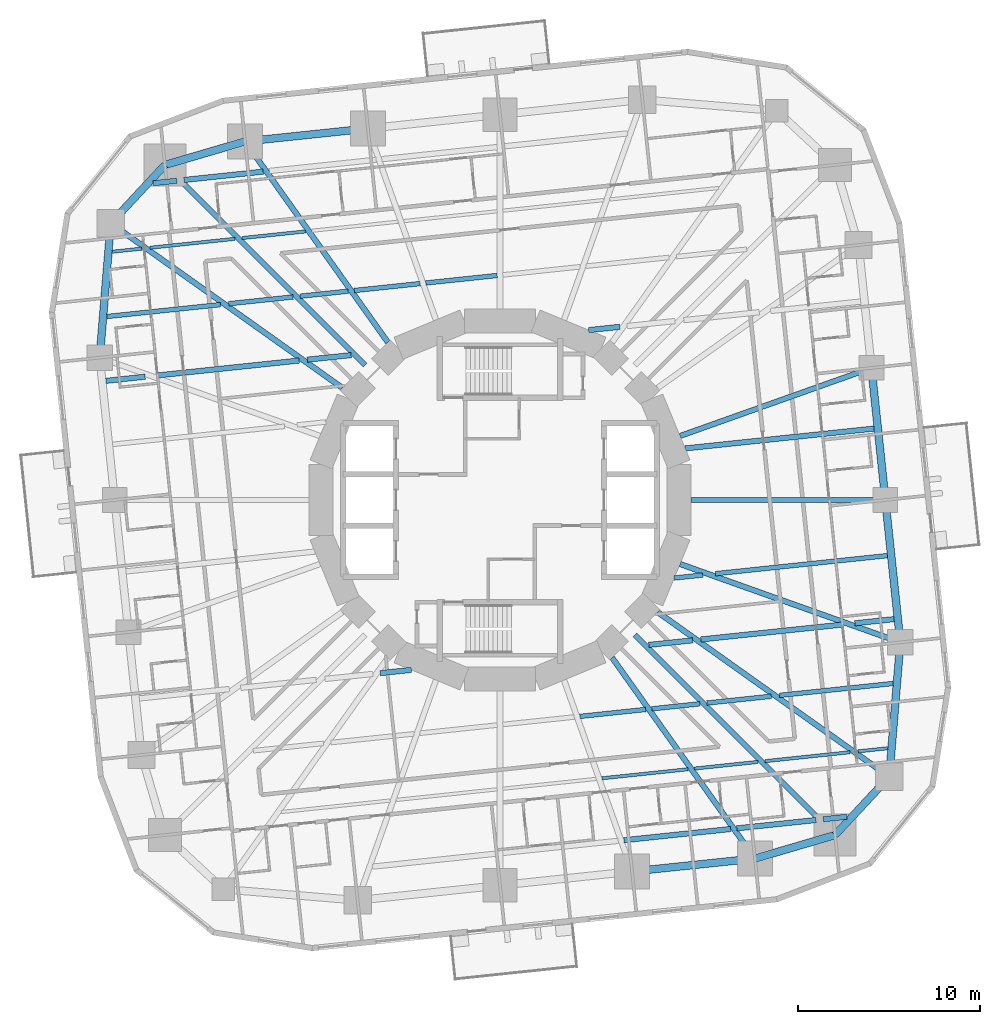
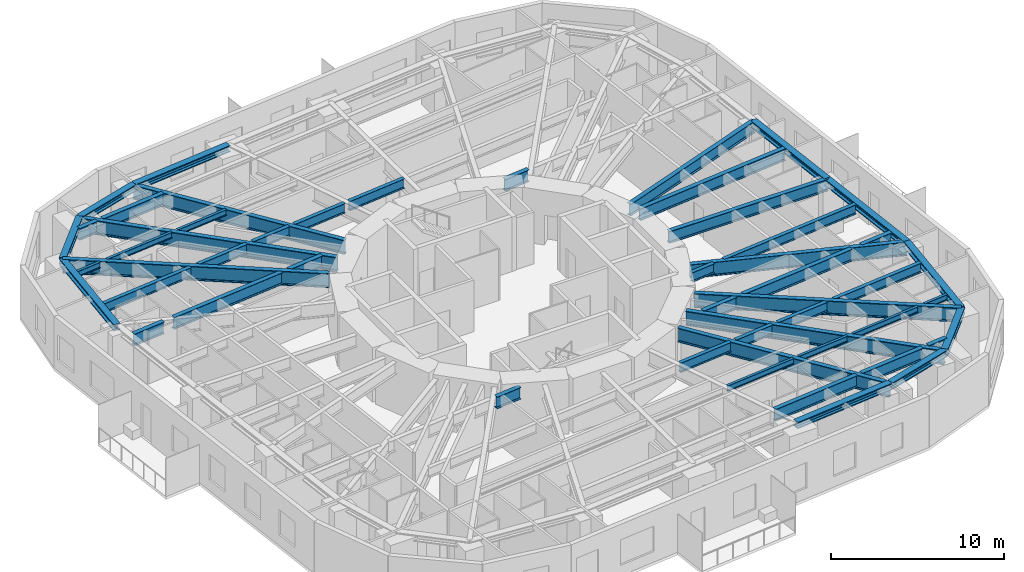
# One storey, part 2 of 13: 41 beams, 10 members.
"""IFC4 building model written with IfcOpenShell, lengths in metres."""

from ifc_helpers import new_model, si_unit, direction, frame, origin, origin_2d, place, context, subcontext, project, spatial, i_section, extrude, material, material_profile, profile_set, type_object, element, save


model = new_model("IFC4")

# Units and contexts
model_context = context("Model", 3, precision=1e-05, world=origin(), true_north=direction((0.0, 1.0)))
body_context = subcontext(model_context, "Body", "Model", "MODEL_VIEW")
ifc_project = project(units=[si_unit("LENGTHUNIT", "METRE"), si_unit("AREAUNIT", "SQUARE_METRE"), si_unit("VOLUMEUNIT", "CUBIC_METRE"), si_unit("PLANEANGLEUNIT", "RADIAN"), si_unit("MASSUNIT", "GRAM", prefix="KILO")], contexts=[model_context])

# Site, building, storey
site_placement = place(None, origin())
site = spatial("IfcSite", under=ifc_project, at=site_placement, CompositionType="ELEMENT")
building_placement = place(site_placement, origin())
building = spatial("IfcBuilding", under=site, at=building_placement, Name="Nakasero Lantern House", CompositionType="ELEMENT")
storey_placement = place(building_placement, frame((0.0, 0.0, 91.300048828125)))
storey = spatial("IfcBuildingStorey", under=building, at=storey_placement, Name="L22", CompositionType="ELEMENT", Elevation=91.300048828125)

# Members
ifc_material_1 = material(Name="Steel S355", Category="steel")
ifc_material_profile_1 = material_profile(ifc_material_1, i_section(OverallWidth=0.41845703125, OverallDepth=0.45556640625, WebThickness=0.0419921875, FlangeThickness=0.0673828125, FilletRadius=0.01513671875, at=origin_2d()), Name="UC 356x406x551")
ifc_profile_set_1 = profile_set([ifc_material_profile_1], Name="Steel S355")
member_type = type_object("IfcMemberType", Name="Belt truss chord UC 356x406x551", PredefinedType="CHORD", material=ifc_profile_set_1)
member_1_placement = place(storey_placement, frame((21.327880859375, -15.16650390625, 3.422119140625), z_axis=(0.08217080574, 0.996618261264, 0.0), x_axis=(-0.996618261264, 0.08217080574, 0.0)))
element("IfcMember", 1, at=member_1_placement, inside=storey, type_object=member_type, Name="Belt truss bottom chord T2 B2-C01", PredefinedType="CHORD", context=body_context, shape_type="SweptSolid", body=[
    extrude(i_section(OverallWidth=0.41845703125, OverallDepth=0.45556640625, WebThickness=0.0419921875, FlangeThickness=0.0673828125, FilletRadius=0.01513671875, at=origin_2d()), origin(), (0.0, 0.0, 1.0), 7.39208984375),
])
member_2_placement = place(storey_placement, frame((21.935302734375, -7.79931640625, 3.422119140625), z_axis=(-0.104508144098, 0.994524030789, 0.0), x_axis=(-0.994524030789, -0.104508144098, 0.0)))
element("IfcMember", 2, at=member_2_placement, inside=storey, type_object=member_type, Name="Belt truss bottom chord T2 B2-C02", PredefinedType="CHORD", context=body_context, shape_type="SweptSolid", body=[
    extrude(i_section(OverallWidth=0.41845703125, OverallDepth=0.45556640625, WebThickness=0.0419921875, FlangeThickness=0.0673828125, FilletRadius=0.01513671875, at=origin_2d()), origin(), (0.0, 0.0, 1.0), 7.84228515625),
])
member_3_placement = place(storey_placement, frame((21.11572265625, 0.0, 3.422119140625), z_axis=(-0.104538087767, 0.994520883746, 0.0), x_axis=(-0.994520883746, -0.104538087767, 0.0)))
element("IfcMember", 3, at=member_3_placement, inside=storey, type_object=member_type, Name="Belt truss bottom chord T2 B2-C03", PredefinedType="CHORD", context=body_context, shape_type="SweptSolid", body=[
    extrude(i_section(OverallWidth=0.41845703125, OverallDepth=0.45556640625, WebThickness=0.0419921875, FlangeThickness=0.0673828125, FilletRadius=0.01513671875, at=origin_2d()), origin(), (0.0, 0.0, 1.0), 7.277099609375),
])
member_4_placement = place(storey_placement, frame((-7.2373046875, 20.35498046875, 3.422119140625), z_axis=(-0.994522233155, -0.10452524939, 0.0), x_axis=(0.10452524939, -0.994522233155, 0.0)))
element("IfcMember", 4, at=member_4_placement, inside=storey, type_object=member_type, Name="Belt truss bottom chord T2 B2-C10", PredefinedType="CHORD", context=body_context, shape_type="SweptSolid", body=[
    extrude(i_section(OverallWidth=0.41845703125, OverallDepth=0.45556640625, WebThickness=0.0419921875, FlangeThickness=0.0673828125, FilletRadius=0.01513671875, at=origin_2d()), origin(), (0.0, 0.0, 1.0), 6.771240234375),
])
member_5_placement = place(storey_placement, frame((-13.971435546875, 19.647216796875, 3.422119140625), z_axis=(-0.959526865957, -0.28161710443, 0.0), x_axis=(0.28161710443, -0.959526865957, 0.0)))
element("IfcMember", 5, at=member_5_placement, inside=storey, type_object=member_type, Name="Belt truss bottom chord T2 B2-C11", PredefinedType="CHORD", context=body_context, shape_type="SweptSolid", body=[
    extrude(i_section(OverallWidth=0.41845703125, OverallDepth=0.45556640625, WebThickness=0.0419921875, FlangeThickness=0.0673828125, FilletRadius=0.01513671875, at=origin_2d()), origin(), (0.0, 0.0, 1.0), 4.572998046875),
])
member_6_placement = place(storey_placement, frame((-18.359375, 18.359375, 3.422119140625), z_axis=(-0.680906333933, -0.732370510336, 0.0), x_axis=(0.732370510336, -0.680906333933, 0.0)))
element("IfcMember", 6, at=member_6_placement, inside=storey, type_object=member_type, Name="Belt truss bottom chord T2 B2-C12", PredefinedType="CHORD", context=body_context, shape_type="SweptSolid", body=[
    extrude(i_section(OverallWidth=0.41845703125, OverallDepth=0.45556640625, WebThickness=0.0419921875, FlangeThickness=0.0673828125, FilletRadius=0.01513671875, at=origin_2d()), origin(), (0.0, 0.0, 1.0), 4.359619140625),
])
member_7_placement = place(storey_placement, frame((-21.327880859375, 15.16650390625, 3.422119140625), z_axis=(-0.08217080574, -0.996618261264, 0.0), x_axis=(0.996618261264, -0.08217080574, 0.0)))
element("IfcMember", 7, at=member_7_placement, inside=storey, type_object=member_type, Name="Belt truss bottom chord T2 B2-C13", PredefinedType="CHORD", context=body_context, shape_type="SweptSolid", body=[
    extrude(i_section(OverallWidth=0.41845703125, OverallDepth=0.45556640625, WebThickness=0.0419921875, FlangeThickness=0.0673828125, FilletRadius=0.01513671875, at=origin_2d()), origin(), (0.0, 0.0, 1.0), 7.39208984375),
])
member_8_placement = place(storey_placement, frame((7.2373046875, -20.35498046875, 3.422119140625), z_axis=(0.994522233155, 0.10452524939, 0.0), x_axis=(-0.10452524939, 0.994522233155, 0.0)))
element("IfcMember", 8, at=member_8_placement, inside=storey, type_object=member_type, Name="Belt truss bottom chord T2 B2-C22", PredefinedType="CHORD", context=body_context, shape_type="SweptSolid", body=[
    extrude(i_section(OverallWidth=0.41845703125, OverallDepth=0.45556640625, WebThickness=0.0419921875, FlangeThickness=0.0673828125, FilletRadius=0.01513671875, at=origin_2d()), origin(), (0.0, 0.0, 1.0), 6.771240234375),
])
member_9_placement = place(storey_placement, frame((13.971435546875, -19.647216796875, 3.422119140625), z_axis=(0.959526865957, 0.28161710443, 0.0), x_axis=(-0.28161710443, 0.959526865957, 0.0)))
element("IfcMember", 9, at=member_9_placement, inside=storey, type_object=member_type, Name="Belt truss bottom chord T2 B2-C23", PredefinedType="CHORD", context=body_context, shape_type="SweptSolid", body=[
    extrude(i_section(OverallWidth=0.41845703125, OverallDepth=0.45556640625, WebThickness=0.0419921875, FlangeThickness=0.0673828125, FilletRadius=0.01513671875, at=origin_2d()), origin(), (0.0, 0.0, 1.0), 4.572998046875),
])
member_10_placement = place(storey_placement, frame((18.359375, -18.359375, 3.422119140625), z_axis=(0.680906333933, 0.732370510336, 0.0), x_axis=(-0.732370510336, 0.680906333933, 0.0)))
element("IfcMember", 10, at=member_10_placement, inside=storey, type_object=member_type, Name="Belt truss bottom chord T2 B2-C24", PredefinedType="CHORD", context=body_context, shape_type="SweptSolid", body=[
    extrude(i_section(OverallWidth=0.41845703125, OverallDepth=0.45556640625, WebThickness=0.0419921875, FlangeThickness=0.0673828125, FilletRadius=0.01513671875, at=origin_2d()), origin(), (0.0, 0.0, 1.0), 4.359619140625),
])

# Beams
ifc_material_2 = material(Name="Steel S355", Category="steel")
ifc_material_profile_2 = material_profile(ifc_material_2, i_section(OverallWidth=0.179443359375, OverallDepth=0.412841796875, WebThickness=0.009521484375, FlangeThickness=0.01611328125, FilletRadius=0.01025390625, at=origin_2d()), Name="UB 406x178x74")
ifc_profile_set_2 = profile_set([ifc_material_profile_2], Name="Steel S355")
beam_type_1 = type_object("IfcBeamType", Name="Infill beam UB 406x178x74", PredefinedType="JOIST", material=ifc_profile_set_2)
beam_1_placement = place(storey_placement, frame((5.584228515625, -15.249755859375, 3.443603515625), z_axis=(0.994523747125, 0.104510843477, 0.0), x_axis=(-0.104510843477, 0.994523747125, 0.0)))
element("IfcBeam", 11, at=beam_1_placement, inside=storey, type_object=beam_type_1, Name="Infill beam L23 03.4", PredefinedType="JOIST", context=body_context, shape_type="SweptSolid", body=[
    extrude(i_section(OverallWidth=0.179443359375, OverallDepth=0.412841796875, WebThickness=0.009521484375, FlangeThickness=0.01611328125, FilletRadius=0.01025390625, at=origin_2d()), origin(), (0.0, 0.0, 1.0), 4.749267578125),
])
beam_2_placement = place(storey_placement, frame((10.649658203125, -14.717529296875, 3.443603515625), z_axis=(0.994516130604, 0.104583296798, 0.0), x_axis=(-0.104583296798, 0.994516130604, 0.0)))
element("IfcBeam", 12, at=beam_2_placement, inside=storey, type_object=beam_type_1, Name="Infill beam L23 03.5", PredefinedType="JOIST", context=body_context, shape_type="SweptSolid", body=[
    extrude(i_section(OverallWidth=0.179443359375, OverallDepth=0.412841796875, WebThickness=0.009521484375, FlangeThickness=0.01611328125, FilletRadius=0.01025390625, at=origin_2d()), origin(), (0.0, 0.0, 1.0), 3.50634765625),
])
beam_3_placement = place(storey_placement, frame((14.5244140625, -14.31005859375, 3.443603515625), z_axis=(0.994524314747, 0.10450544185, 0.0), x_axis=(-0.10450544185, 0.994524314747, 0.0)))
element("IfcBeam", 13, at=beam_3_placement, inside=storey, type_object=beam_type_1, Name="Infill beam L23 03.6", PredefinedType="JOIST", context=body_context, shape_type="SweptSolid", body=[
    extrude(i_section(OverallWidth=0.179443359375, OverallDepth=0.412841796875, WebThickness=0.009521484375, FlangeThickness=0.01611328125, FilletRadius=0.01025390625, at=origin_2d()), origin(), (0.0, 0.0, 1.0), 4.677001953125),
])
for number, where, z_axis, x_axis, name in (
    (14, (19.629638671875, -13.773681640625, 3.443603515625), (0.994509565505, 0.104645707602, 0.0), (-0.104645707602, 0.994509565505, 0.0), "Infill beam L23 03.7"),
    (15, (-21.246826171875, 13.603515625, 3.443603515625), (0.994509565505, 0.104645707602, 0.0), (-0.104645707602, 0.994509565505, 0.0), "Infill beam L23 12.1"),
):
    element("IfcBeam", number, at=place(storey_placement, frame(where, z_axis=z_axis, x_axis=x_axis)), inside=storey, type_object=beam_type_1, Name=name, PredefinedType="JOIST", context=body_context, shape_type="SweptSolid", body=[
        extrude(i_section(OverallWidth=0.179443359375, OverallDepth=0.412841796875, WebThickness=0.009521484375, FlangeThickness=0.01611328125, FilletRadius=0.01025390625, at=origin_2d()), origin(), (0.0, 0.0, 1.0), 1.626220703125),
    ])
beam_4_placement = place(storey_placement, frame((-19.17578125, 13.8212890625, 3.443603515625), z_axis=(0.994524314747, 0.10450544185, 0.0), x_axis=(-0.10450544185, 0.994524314747, 0.0)))
element("IfcBeam", 16, at=beam_4_placement, inside=storey, type_object=beam_type_1, Name="Infill beam L23 12.2", PredefinedType="JOIST", context=body_context, shape_type="SweptSolid", body=[
    extrude(i_section(OverallWidth=0.179443359375, OverallDepth=0.412841796875, WebThickness=0.009521484375, FlangeThickness=0.01611328125, FilletRadius=0.01025390625, at=origin_2d()), origin(), (0.0, 0.0, 1.0), 4.677001953125),
])
beam_5_placement = place(storey_placement, frame((-14.13671875, 14.350830078125, 3.443603515625), z_axis=(0.994516130604, 0.104583296798, 0.0), x_axis=(-0.104583296798, 0.994516130604, 0.0)))
element("IfcBeam", 17, at=beam_5_placement, inside=storey, type_object=beam_type_1, Name="Infill beam L23 12.3", PredefinedType="JOIST", context=body_context, shape_type="SweptSolid", body=[
    extrude(i_section(OverallWidth=0.179443359375, OverallDepth=0.412841796875, WebThickness=0.009521484375, FlangeThickness=0.01611328125, FilletRadius=0.01025390625, at=origin_2d()), origin(), (0.0, 0.0, 1.0), 3.50634765625),
])
ifc_material_3 = material(Name="Steel S355", Category="steel")
ifc_material_profile_3 = material_profile(ifc_material_3, i_section(OverallWidth=0.253662109375, OverallDepth=0.68359375, WebThickness=0.012451171875, FlangeThickness=0.01904296875, FilletRadius=0.01513671875, at=origin_2d()), Name="UB 686x254x140")
ifc_profile_set_3 = profile_set([ifc_material_profile_3], Name="Steel S355")
beam_type_2 = type_object("IfcBeamType", Name="Infill beam UB 686x254x140", PredefinedType="JOIST", material=ifc_profile_set_3)
beam_6_placement = place(storey_placement, frame((4.3779296875, -11.857421875, 3.30810546875), z_axis=(0.99451616252, 0.104582993292, 0.0), x_axis=(-0.104582993292, 0.99451616252, 0.0)))
element("IfcBeam", 18, at=beam_6_placement, inside=storey, type_object=beam_type_2, Name="Infill beam L23 04.5", PredefinedType="JOIST", context=body_context, shape_type="SweptSolid", body=[
    extrude(i_section(OverallWidth=0.253662109375, OverallDepth=0.68359375, WebThickness=0.012451171875, FlangeThickness=0.01904296875, FilletRadius=0.01513671875, at=origin_2d()), origin(), (0.0, 0.0, 1.0), 3.62060546875),
])
beam_7_placement = place(storey_placement, frame((8.3212890625, -11.44287109375, 3.30810546875), z_axis=(0.994518088148, 0.104564680203, 0.0), x_axis=(-0.104564680203, 0.994518088148, 0.0)))
element("IfcBeam", 19, at=beam_7_placement, inside=storey, type_object=beam_type_2, Name="Infill beam L23 04.6", PredefinedType="JOIST", context=body_context, shape_type="SweptSolid", body=[
    extrude(i_section(OverallWidth=0.253662109375, OverallDepth=0.68359375, WebThickness=0.012451171875, FlangeThickness=0.01904296875, FilletRadius=0.01513671875, at=origin_2d()), origin(), (0.0, 0.0, 1.0), 2.645263671875),
])
beam_8_placement = place(storey_placement, frame((11.33984375, -11.12548828125, 3.30810546875), z_axis=(0.994523181884, 0.104516222163, 0.0), x_axis=(-0.104516222163, 0.994523181884, 0.0)))
element("IfcBeam", 20, at=beam_8_placement, inside=storey, type_object=beam_type_2, Name="Infill beam L23 04.7", PredefinedType="JOIST", context=body_context, shape_type="SweptSolid", body=[
    extrude(i_section(OverallWidth=0.253662109375, OverallDepth=0.68359375, WebThickness=0.012451171875, FlangeThickness=0.01904296875, FilletRadius=0.01513671875, at=origin_2d()), origin(), (0.0, 0.0, 1.0), 3.54345703125),
])
beam_9_placement = place(storey_placement, frame((15.31787109375, -10.70751953125, 3.30810546875), z_axis=(0.99451977069, 0.104548676255, 0.0), x_axis=(-0.104548676255, 0.99451977069, 0.0)))
element("IfcBeam", 21, at=beam_9_placement, inside=storey, type_object=beam_type_2, Name="Infill beam L23 04.8", PredefinedType="JOIST", context=body_context, shape_type="SweptSolid", body=[
    extrude(i_section(OverallWidth=0.253662109375, OverallDepth=0.68359375, WebThickness=0.012451171875, FlangeThickness=0.01904296875, FilletRadius=0.01513671875, at=origin_2d()), origin(), (0.0, 0.0, 1.0), 6.255859375),
])
beam_10_placement = place(storey_placement, frame((9.548583984375, -4.275390625, 3.30810546875), z_axis=(0.994519044702, 0.104555581989, 0.0), x_axis=(-0.104555581989, 0.994519044702, 0.0)))
element("IfcBeam", 22, at=beam_10_placement, inside=storey, type_object=beam_type_2, Name="Infill beam L23 06.1", PredefinedType="JOIST", context=body_context, shape_type="SweptSolid", body=[
    extrude(i_section(OverallWidth=0.253662109375, OverallDepth=0.68359375, WebThickness=0.012451171875, FlangeThickness=0.01904296875, FilletRadius=0.01513671875, at=origin_2d()), origin(), (0.0, 0.0, 1.0), 1.57373046875),
])
beam_11_placement = place(storey_placement, frame((11.80517578125, -4.0380859375, 3.30810546875), z_axis=(0.994523374345, 0.104514390789, 0.0), x_axis=(-0.104514390789, 0.994523374345, 0.0)))
element("IfcBeam", 23, at=beam_11_placement, inside=storey, type_object=beam_type_2, Name="Infill beam L23 06.2", PredefinedType="JOIST", context=body_context, shape_type="SweptSolid", body=[
    extrude(i_section(OverallWidth=0.253662109375, OverallDepth=0.68359375, WebThickness=0.012451171875, FlangeThickness=0.01904296875, FilletRadius=0.01513671875, at=origin_2d()), origin(), (0.0, 0.0, 1.0), 9.47216796875),
])
beam_12_placement = place(storey_placement, frame((-21.53955078125, 10.053466796875, 3.30810546875), z_axis=(0.99451977069, 0.104548676255, 0.0), x_axis=(-0.104548676255, 0.99451977069, 0.0)))
element("IfcBeam", 24, at=beam_12_placement, inside=storey, type_object=beam_type_2, Name="Infill beam L23 11.1", PredefinedType="JOIST", context=body_context, shape_type="SweptSolid", body=[
    extrude(i_section(OverallWidth=0.253662109375, OverallDepth=0.68359375, WebThickness=0.012451171875, FlangeThickness=0.01904296875, FilletRadius=0.01513671875, at=origin_2d()), origin(), (0.0, 0.0, 1.0), 6.255859375),
])
beam_13_placement = place(storey_placement, frame((-14.864013671875, 10.755126953125, 3.30810546875), z_axis=(0.994523181884, 0.104516222163, 0.0), x_axis=(-0.104516222163, 0.994523181884, 0.0)))
element("IfcBeam", 25, at=beam_13_placement, inside=storey, type_object=beam_type_2, Name="Infill beam L23 11.2", PredefinedType="JOIST", context=body_context, shape_type="SweptSolid", body=[
    extrude(i_section(OverallWidth=0.253662109375, OverallDepth=0.68359375, WebThickness=0.012451171875, FlangeThickness=0.01904296875, FilletRadius=0.01513671875, at=origin_2d()), origin(), (0.0, 0.0, 1.0), 3.54345703125),
])
beam_14_placement = place(storey_placement, frame((-10.9521484375, 11.166259765625, 3.30810546875), z_axis=(0.994518088148, 0.104564680203, 0.0), x_axis=(-0.104564680203, 0.994518088148, 0.0)))
element("IfcBeam", 26, at=beam_14_placement, inside=storey, type_object=beam_type_2, Name="Infill beam L23 11.3", PredefinedType="JOIST", context=body_context, shape_type="SweptSolid", body=[
    extrude(i_section(OverallWidth=0.253662109375, OverallDepth=0.68359375, WebThickness=0.012451171875, FlangeThickness=0.01904296875, FilletRadius=0.01513671875, at=origin_2d()), origin(), (0.0, 0.0, 1.0), 2.645263671875),
])
beam_15_placement = place(storey_placement, frame((-7.978759765625, 11.478759765625, 3.30810546875), z_axis=(0.99451616252, 0.104582993292, 0.0), x_axis=(-0.104582993292, 0.99451616252, 0.0)))
element("IfcBeam", 27, at=beam_15_placement, inside=storey, type_object=beam_type_2, Name="Infill beam L23 11.4", PredefinedType="JOIST", context=body_context, shape_type="SweptSolid", body=[
    extrude(i_section(OverallWidth=0.253662109375, OverallDepth=0.68359375, WebThickness=0.012451171875, FlangeThickness=0.01904296875, FilletRadius=0.01513671875, at=origin_2d()), origin(), (0.0, 0.0, 1.0), 3.62060546875),
])
beam_16_placement = place(storey_placement, frame((-4.0654296875, 11.89013671875, 3.30810546875), z_axis=(0.994518705521, 0.104558808186, 0.0), x_axis=(-0.104558808186, 0.994518705521, 0.0)))
element("IfcBeam", 28, at=beam_16_placement, inside=storey, type_object=beam_type_2, Name="Infill beam L23 11.5", PredefinedType="JOIST", context=body_context, shape_type="SweptSolid", body=[
    extrude(i_section(OverallWidth=0.253662109375, OverallDepth=0.68359375, WebThickness=0.012451171875, FlangeThickness=0.01904296875, FilletRadius=0.01513671875, at=origin_2d()), origin(), (0.0, 0.0, 1.0), 3.934326171875),
])
ifc_material_4 = material(Name="Steel S355", Category="steel")
ifc_material_profile_4 = material_profile(ifc_material_4, i_section(OverallWidth=0.29248046875, OverallDepth=0.8408203125, WebThickness=0.0146484375, FlangeThickness=0.02685546875, FilletRadius=0.017822265625, at=origin_2d()), Name="UB 838x292x194")
ifc_profile_set_4 = profile_set([ifc_material_profile_4], Name="Steel S355")
beam_type_3 = type_object("IfcBeamType", Name="Infill beam UB 838x292x194", PredefinedType="JOIST", material=ifc_profile_set_4)
beam_17_placement = place(storey_placement, frame((6.79052734375, -18.642333984375, 3.2294921875), z_axis=(0.994523646697, 0.104511799143, 0.0), x_axis=(-0.104511799143, 0.994523646697, 0.0)))
element("IfcBeam", 29, at=beam_17_placement, inside=storey, type_object=beam_type_3, Name="Infill beam L23 02.3", PredefinedType="JOIST", context=body_context, shape_type="SweptSolid", body=[
    extrude(i_section(OverallWidth=0.29248046875, OverallDepth=0.8408203125, WebThickness=0.0146484375, FlangeThickness=0.02685546875, FilletRadius=0.017822265625, at=origin_2d()), origin(), (0.0, 0.0, 1.0), 5.87744140625),
])
beam_18_placement = place(storey_placement, frame((12.978271484375, -17.991943359375, 3.2294921875), z_axis=(0.994520147278, 0.104545093901, 0.0), x_axis=(-0.104545093901, 0.994520147278, 0.0)))
element("IfcBeam", 30, at=beam_18_placement, inside=storey, type_object=beam_type_3, Name="Infill beam L23 02.4", PredefinedType="JOIST", context=body_context, shape_type="SweptSolid", body=[
    extrude(i_section(OverallWidth=0.29248046875, OverallDepth=0.8408203125, WebThickness=0.0146484375, FlangeThickness=0.02685546875, FilletRadius=0.017822265625, at=origin_2d()), origin(), (0.0, 0.0, 1.0), 4.366943359375),
])
beam_19_placement = place(storey_placement, frame((17.708984375, -17.49462890625, 3.2294921875), z_axis=(0.99453110872, 0.104440766885, 0.0), x_axis=(-0.104440766885, 0.99453110872, 0.0)))
element("IfcBeam", 31, at=beam_19_placement, inside=storey, type_object=beam_type_3, Name="Infill beam L23 02.5", PredefinedType="JOIST", context=body_context, shape_type="SweptSolid", body=[
    extrude(i_section(OverallWidth=0.29248046875, OverallDepth=0.8408203125, WebThickness=0.0146484375, FlangeThickness=0.02685546875, FilletRadius=0.017822265625, at=origin_2d()), origin(), (0.0, 0.0, 1.0), 1.302001953125),
])
beam_20_placement = place(storey_placement, frame((-6.559326171875, -9.487548828125, 3.2294921875), z_axis=(0.994532740682, 0.104425225458, 0.0), x_axis=(-0.104425225458, 0.994532740682, 0.0)))
element("IfcBeam", 32, at=beam_20_placement, inside=storey, type_object=beam_type_3, Name="Infill beam L23 05.4", PredefinedType="JOIST", context=body_context, shape_type="SweptSolid", body=[
    extrude(i_section(OverallWidth=0.29248046875, OverallDepth=0.8408203125, WebThickness=0.0146484375, FlangeThickness=0.02685546875, FilletRadius=0.017822265625, at=origin_2d()), origin(), (0.0, 0.0, 1.0), 1.713623046875),
])
beam_21_placement = place(storey_placement, frame((8.1552734375, -7.941162109375, 3.2294921875), z_axis=(0.994520983217, 0.104537141442, 0.0), x_axis=(-0.104537141442, 0.994520983217, 0.0)))
element("IfcBeam", 33, at=beam_21_placement, inside=storey, type_object=beam_type_3, Name="Infill beam L23 05.5", PredefinedType="JOIST", context=body_context, shape_type="SweptSolid", body=[
    extrude(i_section(OverallWidth=0.29248046875, OverallDepth=0.8408203125, WebThickness=0.0146484375, FlangeThickness=0.02685546875, FilletRadius=0.017822265625, at=origin_2d()), origin(), (0.0, 0.0, 1.0), 2.41015625),
])
beam_22_placement = place(storey_placement, frame((11.00634765625, -7.641357421875, 3.2294921875), z_axis=(0.994522441393, 0.104523268059, 0.0), x_axis=(-0.104523268059, 0.994522441393, 0.0)))
element("IfcBeam", 34, at=beam_22_placement, inside=storey, type_object=beam_type_3, Name="Infill beam L23 05.6", PredefinedType="JOIST", context=body_context, shape_type="SweptSolid", body=[
    extrude(i_section(OverallWidth=0.29248046875, OverallDepth=0.8408203125, WebThickness=0.0146484375, FlangeThickness=0.02685546875, FilletRadius=0.017822265625, at=origin_2d()), origin(), (0.0, 0.0, 1.0), 7.789794921875),
])
beam_23_placement = place(storey_placement, frame((19.44482421875, -6.75439453125, 3.2294921875), z_axis=(0.994524029685, 0.104508154604, 0.0), x_axis=(-0.104508154604, 0.994524029685, 0.0)))
element("IfcBeam", 35, at=beam_23_placement, inside=storey, type_object=beam_type_3, Name="Infill beam L23 05.7", PredefinedType="JOIST", context=body_context, shape_type="SweptSolid", body=[
    extrude(i_section(OverallWidth=0.29248046875, OverallDepth=0.8408203125, WebThickness=0.0146484375, FlangeThickness=0.02685546875, FilletRadius=0.017822265625, at=origin_2d()), origin(), (0.0, 0.0, 1.0), 2.158447265625),
])
beam_24_placement = place(storey_placement, frame((10.148681640625, 2.826416015625, 3.2294921875), z_axis=(0.994523571094, 0.104512518575, 0.0), x_axis=(-0.104512518575, 0.994523571094, 0.0)))
element("IfcBeam", 36, at=beam_24_placement, inside=storey, type_object=beam_type_3, Name="Infill beam L23 08.1", PredefinedType="JOIST", context=body_context, shape_type="SweptSolid", body=[
    extrude(i_section(OverallWidth=0.29248046875, OverallDepth=0.8408203125, WebThickness=0.0146484375, FlangeThickness=0.02685546875, FilletRadius=0.017822265625, at=origin_2d()), origin(), (0.0, 0.0, 1.0), 10.402099609375),
])
beam_25_placement = place(storey_placement, frame((-21.591552734375, 6.52880859375, 3.2294921875), z_axis=(0.994524029685, 0.104508154604, 0.0), x_axis=(-0.104508154604, 0.994524029685, 0.0)))
element("IfcBeam", 37, at=beam_25_placement, inside=storey, type_object=beam_type_3, Name="Infill beam L23 10.1", PredefinedType="JOIST", context=body_context, shape_type="SweptSolid", body=[
    extrude(i_section(OverallWidth=0.29248046875, OverallDepth=0.8408203125, WebThickness=0.0146484375, FlangeThickness=0.02685546875, FilletRadius=0.017822265625, at=origin_2d()), origin(), (0.0, 0.0, 1.0), 2.158447265625),
])
beam_26_placement = place(storey_placement, frame((-18.75341796875, 6.8271484375, 3.2294921875), z_axis=(0.994522441393, 0.104523268059, 0.0), x_axis=(-0.104523268059, 0.994522441393, 0.0)))
element("IfcBeam", 38, at=beam_26_placement, inside=storey, type_object=beam_type_3, Name="Infill beam L23 10.2", PredefinedType="JOIST", context=body_context, shape_type="SweptSolid", body=[
    extrude(i_section(OverallWidth=0.29248046875, OverallDepth=0.8408203125, WebThickness=0.0146484375, FlangeThickness=0.02685546875, FilletRadius=0.017822265625, at=origin_2d()), origin(), (0.0, 0.0, 1.0), 7.789794921875),
])
beam_27_placement = place(storey_placement, frame((-10.55224609375, 7.689208984375, 3.2294921875), z_axis=(0.994520983217, 0.104537141442, 0.0), x_axis=(-0.104537141442, 0.994520983217, 0.0)))
element("IfcBeam", 39, at=beam_27_placement, inside=storey, type_object=beam_type_3, Name="Infill beam L23 10.3", PredefinedType="JOIST", context=body_context, shape_type="SweptSolid", body=[
    extrude(i_section(OverallWidth=0.29248046875, OverallDepth=0.8408203125, WebThickness=0.0146484375, FlangeThickness=0.02685546875, FilletRadius=0.017822265625, at=origin_2d()), origin(), (0.0, 0.0, 1.0), 2.41015625),
])
beam_28_placement = place(storey_placement, frame((4.85498046875, 9.30859375, 3.2294921875), z_axis=(0.994532740682, 0.104425225458, 0.0), x_axis=(-0.104425225458, 0.994532740682, 0.0)))
element("IfcBeam", 40, at=beam_28_placement, inside=storey, type_object=beam_type_3, Name="Infill beam L23 10.4", PredefinedType="JOIST", context=body_context, shape_type="SweptSolid", body=[
    extrude(i_section(OverallWidth=0.29248046875, OverallDepth=0.8408203125, WebThickness=0.0146484375, FlangeThickness=0.02685546875, FilletRadius=0.017822265625, at=origin_2d()), origin(), (0.0, 0.0, 1.0), 1.713623046875),
])
beam_29_placement = place(storey_placement, frame((-19.00390625, 17.358642578125, 3.2294921875), z_axis=(0.99453110872, 0.104440766885, 0.0), x_axis=(-0.104440766885, 0.99453110872, 0.0)))
element("IfcBeam", 41, at=beam_29_placement, inside=storey, type_object=beam_type_3, Name="Infill beam L23 13.1", PredefinedType="JOIST", context=body_context, shape_type="SweptSolid", body=[
    extrude(i_section(OverallWidth=0.29248046875, OverallDepth=0.8408203125, WebThickness=0.0146484375, FlangeThickness=0.02685546875, FilletRadius=0.017822265625, at=origin_2d()), origin(), (0.0, 0.0, 1.0), 1.302001953125),
])
beam_30_placement = place(storey_placement, frame((-17.3212890625, 17.535400390625, 3.2294921875), z_axis=(0.994520147278, 0.104545093901, 0.0), x_axis=(-0.104545093901, 0.994520147278, 0.0)))
element("IfcBeam", 42, at=beam_30_placement, inside=storey, type_object=beam_type_3, Name="Infill beam L23 13.2", PredefinedType="JOIST", context=body_context, shape_type="SweptSolid", body=[
    extrude(i_section(OverallWidth=0.29248046875, OverallDepth=0.8408203125, WebThickness=0.0146484375, FlangeThickness=0.02685546875, FilletRadius=0.017822265625, at=origin_2d()), origin(), (0.0, 0.0, 1.0), 4.366943359375),
])
ifc_material_5 = material(Name="Steel S355", Category="steel")
ifc_material_profile_5 = material_profile(ifc_material_5, i_section(OverallWidth=0.300048828125, OverallDepth=0.97021484375, WebThickness=0.01611328125, FlangeThickness=0.02099609375, FilletRadius=0.030029296875, at=origin_2d()), Name="UB 1016x305x222")
ifc_profile_set_5 = profile_set([ifc_material_profile_5], Name="Steel S355")
beam_type_4 = type_object("IfcBeamType", Name="Primary beam UB 1016x305x222, span 12 to 15 m", PredefinedType="BEAM", material=ifc_profile_set_5)
beam_31_placement = place(storey_placement, frame((21.935302734375, -7.79931640625, 3.164794921875), z_axis=(-0.942211882636, 0.335017564047, 0.0), x_axis=(-0.335017564047, -0.942211882636, 0.0)))
element("IfcBeam", 43, at=beam_31_placement, inside=storey, type_object=beam_type_4, Name="Primary beam L23 B2-C02", PredefinedType="BEAM", context=body_context, shape_type="SweptSolid", body=[
    extrude(i_section(OverallWidth=0.300048828125, OverallDepth=0.97021484375, WebThickness=0.01611328125, FlangeThickness=0.02099609375, FilletRadius=0.030029296875, at=origin_2d()), origin(), (0.0, 0.0, 1.0), 12.80908203125),
])
ifc_material_6 = material(Name="Steel S355", Category="steel")
ifc_material_profile_6 = material_profile(ifc_material_6, i_section(OverallWidth=0.300048828125, OverallDepth=1.0, WebThickness=0.01904296875, FlangeThickness=0.035888671875, FilletRadius=0.030029296875, at=origin_2d()), Name="UB 1016x305x314")
ifc_profile_set_6 = profile_set([ifc_material_profile_6], Name="Steel S355")
beam_type_5 = type_object("IfcBeamType", Name="Primary beam UB 1016x305x314, span 12 to 15 m", PredefinedType="BEAM", material=ifc_profile_set_6)
for number, where, z_axis, x_axis, name in (
    (44, (-13.971435546875, 19.647216796875, 3.10009765625), (0.579533393168, -0.814948492976, 0.0), (0.814948492976, 0.579533393168, 0.0), "Primary beam L23 B2-C11"),
    (45, (13.971435546875, -19.647216796875, 3.10009765625), (-0.579533393168, 0.814948492976, 0.0), (-0.814948492976, -0.579533393168, 0.0), "Primary beam L23 B2-C23"),
):
    element("IfcBeam", number, at=place(storey_placement, frame(where, z_axis=z_axis, x_axis=x_axis)), inside=storey, type_object=beam_type_5, Name=name, PredefinedType="BEAM", context=body_context, shape_type="SweptSolid", body=[
        extrude(i_section(OverallWidth=0.300048828125, OverallDepth=1.0, WebThickness=0.01904296875, FlangeThickness=0.035888671875, FilletRadius=0.030029296875, at=origin_2d()), origin(), (0.0, 0.0, 1.0), 13.502685546875),
    ])
ifc_material_7 = material(Name="Steel S355", Category="steel")
ifc_material_profile_7 = material_profile(ifc_material_7, i_section(OverallWidth=0.302001953125, OverallDepth=1.008056640625, WebThickness=0.02099609375, FlangeThickness=0.0400390625, FilletRadius=0.030029296875, at=origin_2d()), Name="UB 1016x305x349")
ifc_profile_set_7 = profile_set([ifc_material_profile_7], Name="Steel S355")
beam_type_6 = type_object("IfcBeamType", Name="Primary beam UB 1016x305x349, span over 15 m", PredefinedType="BEAM", material=ifc_profile_set_7)
for number, where, z_axis, x_axis, name in (
    (46, (21.327880859375, -15.16650390625, 3.14599609375), (-0.814951538239, 0.57952911085, 0.0), (-0.57952911085, -0.814951538239, 0.0), "Primary beam L23 B2-C01"),
    (47, (-21.327880859375, 15.16650390625, 3.14599609375), (0.814951538239, -0.57952911085, 0.0), (0.57952911085, 0.814951538239, 0.0), "Primary beam L23 B2-C13"),
):
    element("IfcBeam", number, at=place(storey_placement, frame(where, z_axis=z_axis, x_axis=x_axis)), inside=storey, type_object=beam_type_6, Name=name, PredefinedType="BEAM", context=body_context, shape_type="SweptSolid", body=[
        extrude(i_section(OverallWidth=0.302001953125, OverallDepth=1.008056640625, WebThickness=0.02099609375, FlangeThickness=0.0400390625, FilletRadius=0.030029296875, at=origin_2d()), origin(), (0.0, 0.0, 1.0), 15.564697265625),
    ])
ifc_material_8 = material(Name="Steel S355", Category="steel")
ifc_material_profile_8 = material_profile(ifc_material_8, i_section(OverallWidth=0.302978515625, OverallDepth=1.015869140625, WebThickness=0.0244140625, FlangeThickness=0.0439453125, FilletRadius=0.030029296875, at=origin_2d()), Name="UB 1016x305x393")
ifc_profile_set_8 = profile_set([ifc_material_profile_8], Name="Steel S355")
beam_type_7 = type_object("IfcBeamType", Name="Primary beam UB 1016x305x393, span over 15 m", PredefinedType="BEAM", material=ifc_profile_set_8)
for number, where, z_axis, x_axis, name in (
    (48, (-18.359375, 18.359375, 3.092041015625), (0.707106781187, -0.707106781187, 0.0), (0.707106781187, 0.707106781187, 0.0), "Primary beam L23 B2-C12"),
    (49, (18.359375, -18.359375, 3.092041015625), (-0.707106781187, 0.707106781187, 0.0), (-0.707106781187, -0.707106781187, 0.0), "Primary beam L23 B2-C24"),
):
    element("IfcBeam", number, at=place(storey_placement, frame(where, z_axis=z_axis, x_axis=x_axis)), inside=storey, type_object=beam_type_7, Name=name, PredefinedType="BEAM", context=body_context, shape_type="SweptSolid", body=[
        extrude(i_section(OverallWidth=0.302978515625, OverallDepth=1.015869140625, WebThickness=0.0244140625, FlangeThickness=0.0439453125, FilletRadius=0.030029296875, at=origin_2d()), origin(), (0.0, 0.0, 1.0), 15.50634765625),
    ])
ifc_material_9 = material(Name="Steel S355", Category="steel")
ifc_material_profile_9 = material_profile(ifc_material_9, i_section(OverallWidth=0.29248046875, OverallDepth=0.8408203125, WebThickness=0.0146484375, FlangeThickness=0.02685546875, FilletRadius=0.017822265625, at=origin_2d()), Name="UB 838x292x194")
ifc_profile_set_9 = profile_set([ifc_material_profile_9], Name="Steel S355")
beam_type_8 = type_object("IfcBeamType", Name="Primary beam UB 838x292x194, span 9 to 12 m", PredefinedType="BEAM", material=ifc_profile_set_9)
beam_32_placement = place(storey_placement, frame((21.11572265625, 0.0, 3.2294921875), z_axis=(-1.0, 0.0, 0.0), x_axis=(0.0, -1.0, 0.0)))
element("IfcBeam", 50, at=beam_32_placement, inside=storey, type_object=beam_type_8, Name="Primary beam L23 B2-C03", PredefinedType="BEAM", context=body_context, shape_type="SweptSolid", body=[
    extrude(i_section(OverallWidth=0.29248046875, OverallDepth=0.8408203125, WebThickness=0.0146484375, FlangeThickness=0.02685546875, FilletRadius=0.017822265625, at=origin_2d()), origin(), (0.0, 0.0, 1.0), 10.657958984375),
])
beam_33_placement = place(storey_placement, frame((20.35498046875, 7.2373046875, 3.2294921875), z_axis=(-0.942214844119, -0.335009234979, 0.0), x_axis=(0.335009234979, -0.942214844119, 0.0)))
element("IfcBeam", 51, at=beam_33_placement, inside=storey, type_object=beam_type_8, Name="Primary beam L23 B2-C04", PredefinedType="BEAM", context=body_context, shape_type="SweptSolid", body=[
    extrude(i_section(OverallWidth=0.29248046875, OverallDepth=0.8408203125, WebThickness=0.0146484375, FlangeThickness=0.02685546875, FilletRadius=0.017822265625, at=origin_2d()), origin(), (0.0, 0.0, 1.0), 11.1318359375),
])

save(model, "model.ifc")
